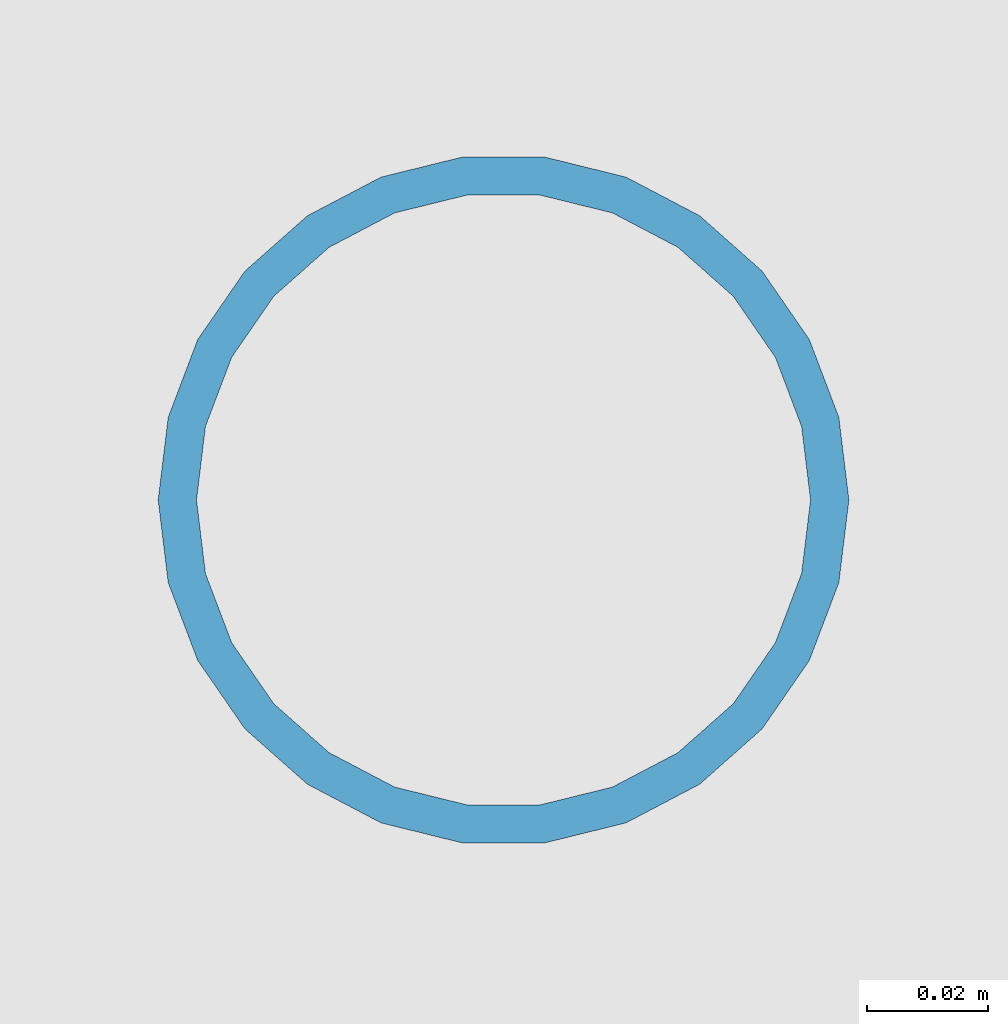
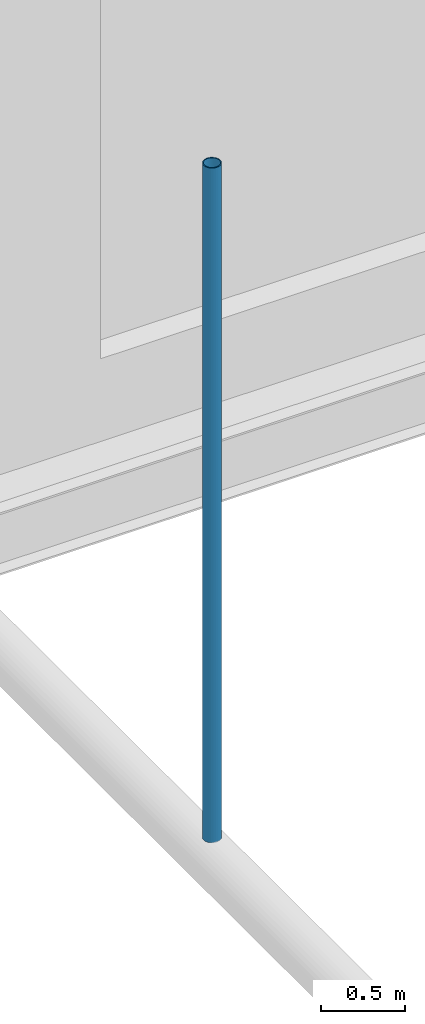
# One storey, part 58 of 167: 1 member.
"""IFC4 building model written with IfcOpenShell, lengths in metres."""

import ifcopenshell
import ifcopenshell.guid

model = None  # the IFC model being written
_history = None  # IfcOwnerHistory: only IFC2X3 demands one
_inside = {}  # id of a spatial element -> (the spatial element, [elements in it])
_under = {}  # id of a project, library or spatial element -> (it, [spatial elements below it])
_declared = {}  # id of a project -> (the project, [libraries it declares])
_typed = {}  # id of a type object -> (the type object, [elements of that type])
_made_of = {}  # id of a material, layer set ... -> (it, [elements and type objects made of it])


def new_model(schema):
    """Start an empty IFC model of exactly this schema.

    Asked for "IFC4X3", IfcOpenShell would pick the latest addendum, in which some entities
    have other attributes; the version numbers below select the first issue.
    IFC2X3 requires an IfcOwnerHistory on every rooted entity: one is made here for all.
    """
    global model, _history
    if schema == "IFC4X3":
        model = ifcopenshell.file(schema_version=(4, 3, 0, 0))
    else:
        model = ifcopenshell.file(schema=schema)
    _inside.clear()
    _under.clear()
    _declared.clear()
    _typed.clear()
    _made_of.clear()
    _history = None
    if model.schema == "IFC2X3":
        org = make("IfcOrganization", Name="unknown")
        user = make(
            "IfcPersonAndOrganization",
            ThePerson=make("IfcPerson", FamilyName="unknown"),
            TheOrganization=org,
        )
        app = make(
            "IfcApplication",
            ApplicationDeveloper=org,
            Version="unknown",
            ApplicationFullName="unknown",
            ApplicationIdentifier="unknown",
        )
        _history = make(
            "IfcOwnerHistory",
            OwningUser=user,
            OwningApplication=app,
            ChangeAction="ADDED",
            CreationDate=0,
        )
    return model


def make(cls, **values):
    """One entity of the class cls with the attributes given. An attribute that is None is left unset."""
    return model.create_entity(
        cls, **{name: value for name, value in values.items() if value is not None}
    )


def rooted(cls, **values):
    """An entity with a GlobalId (a new one), such as an element, a storey or a relation."""
    return make(cls, GlobalId=ifcopenshell.guid.new(), OwnerHistory=_history, **values)


def si_unit(unit_type, name, prefix=None):
    """IfcSIUnit, for example si_unit("LENGTHUNIT", "METRE", prefix="MILLI")."""
    return make("IfcSIUnit", UnitType=unit_type, Prefix=prefix, Name=name)


def assignment(units):
    """IfcUnitAssignment: the units of a project."""
    return None if units is None else make("IfcUnitAssignment", Units=units)


def point(xyz):
    """IfcCartesianPoint."""
    return None if xyz is None else make("IfcCartesianPoint", Coordinates=xyz)


def direction(xyz):
    """IfcDirection."""
    return None if xyz is None else make("IfcDirection", DirectionRatios=xyz)


def frame(location, z_axis=None, x_axis=None):
    """IfcAxis2Placement3D, a coordinate frame: its origin and axes. An axis left out is left unset."""
    return make(
        "IfcAxis2Placement3D",
        Location=point(location),
        Axis=direction(z_axis),
        RefDirection=direction(x_axis),
    )


def frame_2d(location, x_axis=None):
    """IfcAxis2Placement2D, a coordinate frame in the plane: its origin and x axis."""
    return make(
        "IfcAxis2Placement2D", Location=point(location), RefDirection=direction(x_axis)
    )


def origin():
    """The frame at (0, 0, 0) with its axes left unset."""
    return frame((0.0, 0.0, 0.0))


def origin_2d():
    """The frame at (0, 0) in the plane with its x axis left unset."""
    return frame_2d((0.0, 0.0))


def place(relative_to, where):
    """IfcLocalPlacement: puts the frame where relative to a parent placement (None: the world)."""
    return make(
        "IfcLocalPlacement", PlacementRelTo=relative_to, RelativePlacement=where
    )


def context(
    kind, dimensions, precision=None, world=None, true_north=None, identifier=None
):
    """IfcGeometricRepresentationContext, for example the 3D "Model" context."""
    return make(
        "IfcGeometricRepresentationContext",
        ContextIdentifier=identifier,
        ContextType=kind,
        CoordinateSpaceDimension=dimensions,
        Precision=precision,
        WorldCoordinateSystem=world,
        TrueNorth=true_north,
    )


def subcontext(parent, identifier, kind, view, scale=None):
    """IfcGeometricRepresentationSubContext, for example "Body" below "Model"."""
    return make(
        "IfcGeometricRepresentationSubContext",
        ContextIdentifier=identifier,
        ContextType=kind,
        ParentContext=parent,
        TargetScale=scale,
        TargetView=view,
    )


def project(units=None, contexts=None):
    """IfcProject with its units and contexts."""
    return rooted(
        "IfcProject",
        Name="project",
        RepresentationContexts=contexts,
        UnitsInContext=assignment(units),
    )


def spatial(cls, under=None, at=None, **own):
    """A site, building, storey or space (cls), placed at a placement, below another one or the project."""
    s = rooted(cls, ObjectPlacement=at, **own)
    if under is not None:
        _under.setdefault(under.id(), (under, []))[1].append(s)
    return s


def profile(cls, at=None, kind="AREA", **sizes):
    """A parametric profile (cls). Its sizes go by their IFC names, for example OverallWidth=200.0."""
    return make(cls, ProfileType=kind, Position=at, **sizes)


def hollow_circle(**sizes):
    """IfcCircleHollowProfileDef."""
    return profile("IfcCircleHollowProfileDef", **sizes)


def extrude(swept, where, along, depth):
    """IfcExtrudedAreaSolid: the profile swept, set in the frame where, extruded along a direction by depth."""
    return make(
        "IfcExtrudedAreaSolid",
        SweptArea=swept,
        Position=where,
        ExtrudedDirection=direction(along),
        Depth=depth,
    )


def shape(context_of_items, identifier, shape_type, items):
    """IfcShapeRepresentation: the items that make up one representation, for example the "Body"."""
    return make(
        "IfcShapeRepresentation",
        ContextOfItems=context_of_items,
        RepresentationIdentifier=identifier,
        RepresentationType=shape_type,
        Items=items,
    )


def material(Name=None, Category=None):
    """IfcMaterial."""
    return make("IfcMaterial", Name=Name, Category=Category)


def material_profile(
    of_material, cross_section, Name=None, Category=None, Priority=None
):
    """IfcMaterialProfile: a cross section and its material."""
    return make(
        "IfcMaterialProfile",
        Name=Name,
        Material=of_material,
        Profile=cross_section,
        Priority=Priority,
        Category=Category,
    )


def profile_set(profiles, Name=None, composite=None):
    """IfcMaterialProfileSet."""
    return make(
        "IfcMaterialProfileSet",
        Name=Name,
        MaterialProfiles=profiles,
        CompositeProfile=composite,
    )


def made_of(thing, what):
    """Note that an element or type object is made of a material, layer set ...; save() writes the relation."""
    if what is not None:
        _made_of.setdefault(what.id(), (what, []))[1].append(thing)
    return thing


def type_object(cls, material=None, **own):
    """A type object (cls), such as IfcWallType, which elements share."""
    return made_of(rooted(cls, **own), material)


def element(
    cls,
    number,
    at=None,
    inside=None,
    cuts=None,
    type_object=None,
    material=None,
    context=None,
    identifier="Body",
    shape_type=None,
    held_by="IfcProductDefinitionShape",
    body=None,
    shapes=None,
    **own,
):
    """One element of the class cls, such as IfcWall. Its Tag is "e" and its number.

    at: its placement. inside: the storey or other place that contains it. cuts: it is an
    opening in that element (IfcRelVoidsElement). A single representation is given by context,
    identifier, shape_type and body (its items); several are given by shapes. held_by: the class
    of the entity that holds the representations. save() writes the other relations.
    """
    e = rooted(cls, Tag="e%d" % number, ObjectPlacement=at, **own)
    if body is not None:
        shapes = [shape(context, identifier, shape_type, body)]
    if shapes is not None:
        e.Representation = make(held_by, Representations=shapes)
    if inside is not None:
        _inside.setdefault(inside.id(), (inside, []))[1].append(e)
    if cuts is not None:
        rooted(
            "IfcRelVoidsElement", RelatingBuildingElement=cuts, RelatedOpeningElement=e
        )
    if type_object is not None:
        _typed.setdefault(type_object.id(), (type_object, []))[1].append(e)
    return made_of(e, material)


def aggregate(whole, parts):
    """IfcRelAggregates: a whole, such as a stair, and the parts it consists of."""
    return rooted("IfcRelAggregates", RelatingObject=whole, RelatedObjects=parts)


def save(model, path):
    """Write the relations noted so far, then the file.

    IfcRelAggregates (storeys below a building ...), IfcRelContainedInSpatialStructure (elements
    in a storey), IfcRelDefinesByType, IfcRelAssociatesMaterial and IfcRelDeclares: one each for
    every whole, place, type object, material and project.
    """
    for whole, parts in _under.values():
        aggregate(whole, parts)
    for where, things in _inside.values():
        rooted(
            "IfcRelContainedInSpatialStructure",
            RelatedElements=things,
            RelatingStructure=where,
        )
    for kind, things in _typed.values():
        rooted("IfcRelDefinesByType", RelatedObjects=things, RelatingType=kind)
    for what, things in _made_of.values():
        rooted("IfcRelAssociatesMaterial", RelatedObjects=things, RelatingMaterial=what)
    for by, libraries in _declared.values():
        rooted("IfcRelDeclares", RelatingContext=by, RelatedDefinitions=libraries)
    model.write(path)


model = new_model("IFC4")

# Units and contexts
model_context = context("Model", 3, precision=1e-05, world=origin(), true_north=direction((0.0, 1.0)))
body_context = subcontext(model_context, "Body", "Model", "MODEL_VIEW")
ifc_project = project(units=[si_unit("LENGTHUNIT", "METRE"), si_unit("AREAUNIT", "SQUARE_METRE"), si_unit("VOLUMEUNIT", "CUBIC_METRE"), si_unit("PLANEANGLEUNIT", "RADIAN"), si_unit("MASSUNIT", "GRAM", prefix="KILO")], contexts=[model_context])

# Site, building, storey
site_placement = place(None, origin())
site = spatial("IfcSite", under=ifc_project, at=site_placement, CompositionType="ELEMENT")
building_placement = place(site_placement, origin())
building = spatial("IfcBuilding", under=site, at=building_placement, Name="Catenary Quay Ferry Terminal", CompositionType="ELEMENT")
storey_placement = place(building_placement, frame((0.0, 0.0, 6.0)))
storey = spatial("IfcBuildingStorey", under=building, at=storey_placement, Name="L01", CompositionType="ELEMENT", Elevation=6.0)

# Member
ifc_material = material(Name="Steel S355", Category="steel")
ifc_material_profile = material_profile(ifc_material, hollow_circle(Radius=0.05712890625, WallThickness=0.00634765625, at=origin_2d()), Name="CHS 114.3x6.3")
ifc_profile_set = profile_set([ifc_material_profile], Name="Steel S355")
member_type = type_object("IfcMemberType", Name="HG1 CHS 114.3x6.3", PredefinedType="POST", material=ifc_profile_set)
member_placement = place(storey_placement, frame((50.39990234375, 91.159912109375, 4.654052734375), z_axis=(0.0, 0.0, 1.0), x_axis=(1.0, 0.0, 0.0)))
element("IfcMember", 1, at=member_placement, inside=storey, type_object=member_type, Name="Hanger VA-04-07", PredefinedType="POST", context=body_context, shape_type="SweptSolid", body=[
    extrude(hollow_circle(Radius=0.05712890625, WallThickness=0.00634765625, at=origin_2d()), origin(), (0.0, 0.0, 1.0), 4.89599609375),
])

save(model, "model.ifc")
